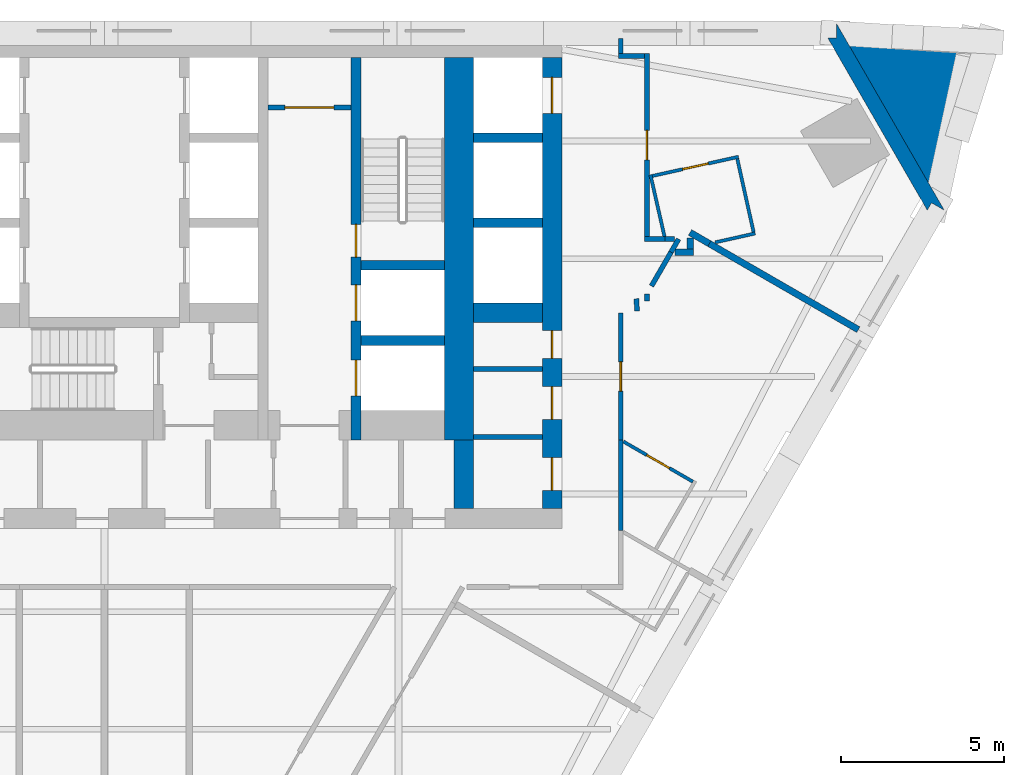
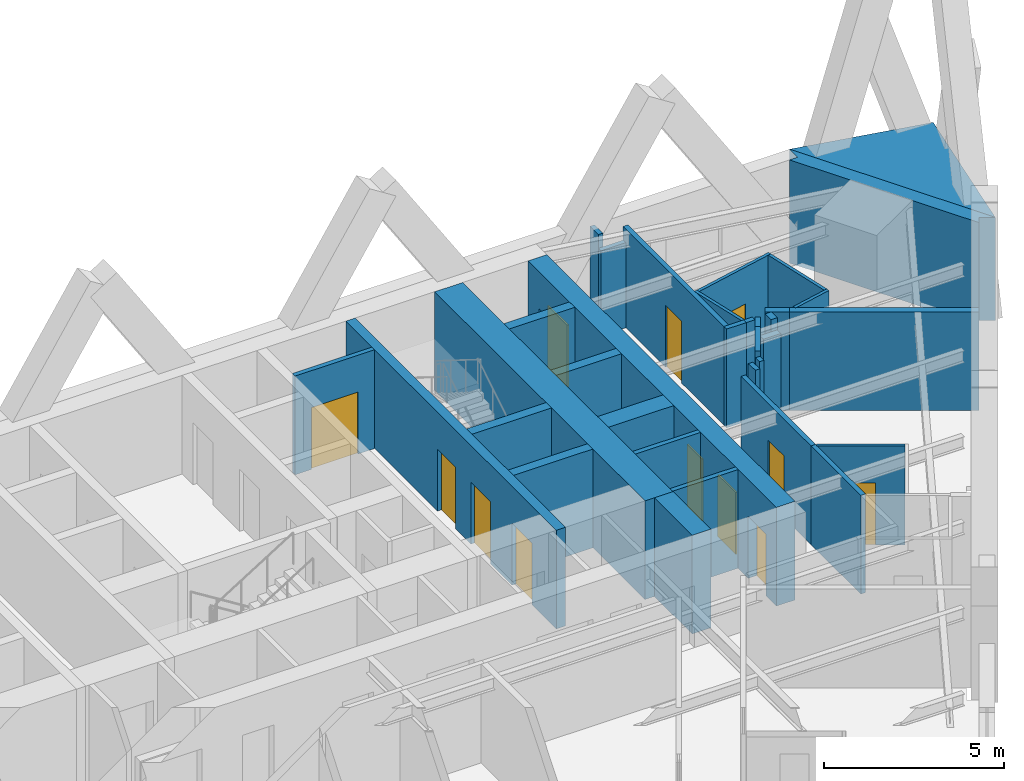
# One storey, part 8 of 11: 34 walls, 12 doors, 12 openings.
"""IFC4 building model written with IfcOpenShell, lengths in metres."""

from ifc_helpers import new_model, si_unit, direction, frame, frame_2d, origin, place, context, subcontext, project, spatial, polyline, rectangle, outline, extrude, material, layer, layer_set, type_object, element, fill, save


model = new_model("IFC4")

# Units and contexts
model_context = context("Model", 3, precision=1e-05, world=origin(), true_north=direction((0.0, 1.0)))
body_context = subcontext(model_context, "Body", "Model", "MODEL_VIEW")
ifc_project = project(units=[si_unit("LENGTHUNIT", "METRE"), si_unit("AREAUNIT", "SQUARE_METRE"), si_unit("VOLUMEUNIT", "CUBIC_METRE"), si_unit("PLANEANGLEUNIT", "RADIAN"), si_unit("MASSUNIT", "GRAM", prefix="KILO")], contexts=[model_context])

# Site, building, storey
site_placement = place(None, origin())
site = spatial("IfcSite", under=ifc_project, at=site_placement, CompositionType="ELEMENT")
building_placement = place(site_placement, origin())
building = spatial("IfcBuilding", under=site, at=building_placement, Name="Aloe Facet Convention Tower", CompositionType="ELEMENT")
storey_placement = place(building_placement, frame((0.0, 0.0, 63.0)))
storey = spatial("IfcBuildingStorey", under=building, at=storey_placement, Name="L14", CompositionType="ELEMENT", Elevation=63.0)

# Wall, opening, door
ifc_material_1 = material(Name="Concrete blockwork partition", Category="masonry")
ifc_layer_1 = layer(ifc_material_1, 0.14990234375)
ifc_layer_set_1 = layer_set([ifc_layer_1], Name="CR-W-PART150")
wall_type_1 = type_object("IfcWallType", Name="CR-W-PART150", PredefinedType="PARTITIONING", material=ifc_layer_set_1)
wall_1_placement = place(storey_placement, frame((85.0, 132.425048828125, 0.0), z_axis=(0.0, 0.0, 1.0), x_axis=(1.0, 0.0, 0.0)))
wall_1 = element("IfcWall", 1, at=wall_1_placement, inside=storey, type_object=wall_type_1, Name="Core partition L14-038", PredefinedType="PARTITIONING", context=body_context, shape_type="SweptSolid", body=[
    extrude(rectangle(XDim=2.550048828125, YDim=0.14990234375, at=frame_2d((1.27490234375, 0.0))), origin(), (0.0, 0.0, 1.0), 3.35009765625),
])
opening_1_placement = place(wall_1_placement, frame((0.52490234375, 0.0, 0.0)))
opening_1 = element("IfcOpeningElement", 2, at=opening_1_placement, cuts=wall_1, Name="Opening L14-CD21", PredefinedType="OPENING", context=body_context, shape_type="SweptSolid", body=[
    extrude(rectangle(XDim=1.5, YDim=2.10009765625, at=frame_2d((0.75, 1.050048828125))), frame((0.0, 0.0849609375, 0.0), z_axis=(0.0, -1.0, 0.0), x_axis=(1.0, 0.0, 0.0)), (0.0, 0.0, 1.0), 0.169921875),
])
ifc_material_2 = material(Name="Steel fire-resisting door set FD60", Category="steel")
door_type_1 = type_object("IfcDoorType", Name="CR-D-REFUGE-1500-FD60-DD", OperationType="DOUBLE_DOOR_DOUBLE_SWING", PredefinedType="DOOR", material=ifc_material_2)
door_1_placement = place(opening_1_placement, origin())
door_1 = element("IfcDoor", 3, at=door_1_placement, inside=storey, type_object=door_type_1, Name="Core door L14-CD21", OperationType="DOUBLE_DOOR_DOUBLE_SWING", OverallHeight=2.10009765625, OverallWidth=1.5, PredefinedType="DOOR", context=body_context, shape_type="SweptSolid", body=[
    extrude(rectangle(XDim=1.5, YDim=2.10009765625, at=frame_2d((0.75, 1.050048828125))), frame((0.0, 0.02490234375, 0.0), z_axis=(0.0, -1.0, 0.0), x_axis=(1.0, 0.0, 0.0)), (0.0, 0.0, 1.0), 0.050048828125),
])
fill(opening_1, door_1)

# Walls
for number, where, z_axis, x_axis, name in (
    (4, (91.300048828125, 124.425048828125, 0.0), (0.0, 0.0, 1.0), (1.0, 0.0, 0.0), "Core partition L14-052"),
    (5, (91.300048828125, 122.346435546875, 0.0), (0.0, 0.0, 1.0), (1.0, 0.0, 0.0), "Core partition L14-053"),
):
    element("IfcWall", number, at=place(storey_placement, frame(where, z_axis=z_axis, x_axis=x_axis)), inside=storey, type_object=wall_type_1, Name=name, PredefinedType="PARTITIONING", context=body_context, shape_type="SweptSolid", body=[
        extrude(rectangle(XDim=2.099853515625, YDim=0.14990234375, at=frame_2d((1.0498046875, 0.0))), origin(), (0.0, 0.0, 1.0), 3.35009765625),
    ])

# Wall, openings, doors
ifc_material_3 = material(Name="Concrete C80/95", Category="concrete")
ifc_layer_2 = layer(ifc_material_3, 0.300048828125)
ifc_layer_set_2 = layer_set([ifc_layer_2], Name="CR-W-RC300-C8095")
wall_type_2 = type_object("IfcWallType", Name="CR-W-RC300-C8095", PredefinedType="SOLIDWALL", material=ifc_layer_set_2)
wall_2_placement = place(storey_placement, frame((87.699951171875, 133.949951171875, 0.0), z_axis=(0.0, 0.0, 1.0), x_axis=(0.0, -1.0, 0.0)))
wall_2 = element("IfcWall", 6, at=wall_2_placement, inside=storey, type_object=wall_type_2, Name="Core wall L14-042", PredefinedType="SOLIDWALL", context=body_context, shape_type="SweptSolid", body=[
    extrude(rectangle(XDim=11.699951171875, YDim=0.300048828125, at=frame_2d((5.85009765625, 0.0))), origin(), (0.0, 0.0, 1.0), 3.35009765625),
])
opening_2_placement = place(wall_2_placement, frame((6.949951171875, 0.0, 0.0)))
opening_2 = element("IfcOpeningElement", 7, at=opening_2_placement, cuts=wall_2, Name="Opening LD-FF2-L14", PredefinedType="OPENING", context=body_context, shape_type="SweptSolid", body=[
    extrude(rectangle(XDim=1.10009765625, YDim=2.10009765625, at=frame_2d((0.550048828125, 1.050048828125))), frame((0.0, 0.16015625, 0.0), z_axis=(0.0, -1.0, 0.0), x_axis=(1.0, 0.0, 0.0)), (0.0, 0.0, 1.0), 0.320068359375),
])
opening_3_placement = place(wall_2_placement, frame((5.10009765625, 0.0, 0.0)))
opening_3 = element("IfcOpeningElement", 8, at=opening_3_placement, cuts=wall_2, Name="Opening L14-CD31", PredefinedType="OPENING", context=body_context, shape_type="SweptSolid", body=[
    extrude(rectangle(XDim=1.0, YDim=2.10009765625, at=frame_2d((0.5, 1.050048828125))), frame((0.0, 0.16015625, 0.0), z_axis=(0.0, -1.0, 0.0), x_axis=(1.0, 0.0, 0.0)), (0.0, 0.0, 1.0), 0.320068359375),
])
opening_4_placement = place(wall_2_placement, frame((9.25, 0.0, 0.0)))
opening_4 = element("IfcOpeningElement", 9, at=opening_4_placement, cuts=wall_2, Name="Opening LD-SV1-L14", PredefinedType="OPENING", context=body_context, shape_type="SweptSolid", body=[
    extrude(rectangle(XDim=1.10009765625, YDim=2.10009765625, at=frame_2d((0.550048828125, 1.050048828125))), frame((0.0, 0.16015625, 0.0), z_axis=(0.0, -1.0, 0.0), x_axis=(1.0, 0.0, 0.0)), (0.0, 0.0, 1.0), 0.320068359375),
])
ifc_material_4 = material(Name="Steel fire-resisting door set FD120", Category="steel")
door_type_2 = type_object("IfcDoorType", Name="CR-D-STAIR-1000-FD120-SLEFT", OperationType="SINGLE_SWING_LEFT", PredefinedType="DOOR", material=ifc_material_4)
door_2_placement = place(opening_3_placement, origin())
door_2 = element("IfcDoor", 10, at=door_2_placement, inside=storey, type_object=door_type_2, Name="Core door L14-CD31", OperationType="SINGLE_SWING_LEFT", OverallHeight=2.10009765625, OverallWidth=1.0, PredefinedType="DOOR", context=body_context, shape_type="SweptSolid", body=[
    extrude(rectangle(XDim=1.0, YDim=2.10009765625, at=frame_2d((0.5, 1.050048828125))), frame((0.0, 0.02490234375, 0.0), z_axis=(0.0, -1.0, 0.0), x_axis=(1.0, 0.0, 0.0)), (0.0, 0.0, 1.0), 0.050048828125),
])
fill(opening_3, door_2)
ifc_material_5 = material(Name="Stainless steel sliding landing door", Category="steel")
door_type_3 = type_object("IfcDoorType", Name="CR-LD-1100-FD120-_LEFT", OperationType="SLIDING_TO_LEFT", PredefinedType="DOOR", material=ifc_material_5)
door_3_placement = place(opening_2_placement, origin())
door_3 = element("IfcDoor", 11, at=door_3_placement, inside=storey, type_object=door_type_3, Name="Landing door FF2 L14", OperationType="SLIDING_TO_LEFT", OverallHeight=2.10009765625, OverallWidth=1.10009765625, PredefinedType="DOOR", context=body_context, shape_type="SweptSolid", body=[
    extrude(rectangle(XDim=1.10009765625, YDim=2.10009765625, at=frame_2d((0.550048828125, 1.050048828125))), frame((0.0, 0.02490234375, 0.0), z_axis=(0.0, -1.0, 0.0), x_axis=(1.0, 0.0, 0.0)), (0.0, 0.0, 1.0), 0.050048828125),
])
fill(opening_2, door_3)
door_4_placement = place(opening_4_placement, origin())
door_4 = element("IfcDoor", 12, at=door_4_placement, inside=storey, type_object=door_type_3, Name="Landing door SV1 L14", OperationType="SLIDING_TO_LEFT", OverallHeight=2.10009765625, OverallWidth=1.10009765625, PredefinedType="DOOR", context=body_context, shape_type="SweptSolid", body=[
    extrude(rectangle(XDim=1.10009765625, YDim=2.10009765625, at=frame_2d((0.550048828125, 1.050048828125))), frame((0.0, 0.02490234375, 0.0), z_axis=(0.0, -1.0, 0.0), x_axis=(1.0, 0.0, 0.0)), (0.0, 0.0, 1.0), 0.050048828125),
])
fill(opening_4, door_4)

# Walls
for number, where, z_axis, x_axis, name in (
    (13, (87.85009765625, 127.60009765625, 0.0), (0.0, 0.0, 1.0), (1.0, 0.0, 0.0), "Core wall L14-043"),
    (14, (87.85009765625, 125.300048828125, 0.0), (0.0, 0.0, 1.0), (1.0, 0.0, 0.0), "Core wall L14-044"),
):
    element("IfcWall", number, at=place(storey_placement, frame(where, z_axis=z_axis, x_axis=x_axis)), inside=storey, type_object=wall_type_2, Name=name, PredefinedType="SOLIDWALL", context=body_context, shape_type="SweptSolid", body=[
        extrude(rectangle(XDim=2.5498046875, YDim=0.300048828125, at=frame_2d((1.27490234375, 0.0))), origin(), (0.0, 0.0, 1.0), 3.35009765625),
    ])
for number, where, z_axis, x_axis, name in (
    (15, (91.300048828125, 131.5, 0.0), (0.0, 0.0, 1.0), (1.0, 0.0, 0.0), "Core wall L14-049"),
    (16, (91.300048828125, 128.89990234375, 0.0), (0.0, 0.0, 1.0), (1.0, 0.0, 0.0), "Core wall L14-050"),
):
    element("IfcWall", number, at=place(storey_placement, frame(where, z_axis=z_axis, x_axis=x_axis)), inside=storey, type_object=wall_type_2, Name=name, PredefinedType="SOLIDWALL", context=body_context, shape_type="SweptSolid", body=[
        extrude(rectangle(XDim=2.099853515625, YDim=0.300048828125, at=frame_2d((1.0498046875, 0.0))), origin(), (0.0, 0.0, 1.0), 3.35009765625),
    ])
ifc_material_6 = material(Name="Concrete C80/95", Category="concrete")
ifc_layer_3 = layer(ifc_material_6, 0.60009765625)
ifc_layer_set_3 = layer_set([ifc_layer_3], Name="CR-W-RC600-C8095")
wall_type_3 = type_object("IfcWallType", Name="CR-W-RC600-C8095", PredefinedType="SOLIDWALL", material=ifc_layer_set_3)
wall_3_placement = place(storey_placement, frame((91.0, 122.25, 0.0), z_axis=(0.0, 0.0, 1.0), x_axis=(0.0, -1.0, 0.0)))
element("IfcWall", 17, at=wall_3_placement, inside=storey, type_object=wall_type_3, Name="Core wall L14-048", PredefinedType="SOLIDWALL", context=body_context, shape_type="SweptSolid", body=[
    extrude(rectangle(XDim=2.10009765625, YDim=0.60009765625, at=frame_2d((1.050048828125, 0.0))), origin(), (0.0, 0.0, 1.0), 3.35009765625),
])
wall_4_placement = place(storey_placement, frame((91.300048828125, 126.14990234375, 0.0), z_axis=(0.0, 0.0, 1.0), x_axis=(1.0, 0.0, 0.0)))
element("IfcWall", 18, at=wall_4_placement, inside=storey, type_object=wall_type_3, Name="Core wall L14-051", PredefinedType="SOLIDWALL", context=body_context, shape_type="SweptSolid", body=[
    extrude(rectangle(XDim=2.099853515625, YDim=0.60009765625, at=frame_2d((1.0498046875, 0.0))), origin(), (0.0, 0.0, 1.0), 3.35009765625),
])

# Wall, openings, doors
wall_5_placement = place(storey_placement, frame((93.699951171875, 133.949951171875, 0.0), z_axis=(0.0, 0.0, 1.0), x_axis=(0.0, -1.0, 0.0)))
wall_5 = element("IfcWall", 19, at=wall_5_placement, inside=storey, type_object=wall_type_3, Name="Core wall L14-054", PredefinedType="SOLIDWALL", context=body_context, shape_type="SweptSolid", body=[
    extrude(rectangle(XDim=13.800048828125, YDim=0.60009765625, at=frame_2d((6.89990234375, 0.0))), origin(), (0.0, 0.0, 1.0), 3.35009765625),
])
opening_5_placement = place(wall_5_placement, frame((0.60009765625, 0.0, 0.0)))
opening_5 = element("IfcOpeningElement", 20, at=opening_5_placement, cuts=wall_5, Name="Opening LD-A8-L14", PredefinedType="OPENING", context=body_context, shape_type="SweptSolid", body=[
    extrude(rectangle(XDim=1.10009765625, YDim=2.10009765625, at=frame_2d((0.550048828125, 1.050048828125))), frame((0.0, 0.31005859375, 0.0), z_axis=(0.0, -1.0, 0.0), x_axis=(1.0, 0.0, 0.0)), (0.0, 0.0, 1.0), 0.6201171875),
])
opening_6_placement = place(wall_5_placement, frame((10.064208984375, 0.0, 0.0)))
opening_6 = element("IfcOpeningElement", 21, at=opening_6_placement, cuts=wall_5, Name="Opening L14-CD09", PredefinedType="OPENING", context=body_context, shape_type="SweptSolid", body=[
    extrude(rectangle(XDim=1.0, YDim=2.10009765625, at=frame_2d((0.5, 1.050048828125))), frame((0.0, 0.31005859375, 0.0), z_axis=(0.0, -1.0, 0.0), x_axis=(1.0, 0.0, 0.0)), (0.0, 0.0, 1.0), 0.6201171875),
])
opening_7_placement = place(wall_5_placement, frame((8.35009765625, 0.0, 0.0)))
opening_7 = element("IfcOpeningElement", 22, at=opening_7_placement, cuts=wall_5, Name="Opening L14-CD10", PredefinedType="OPENING", context=body_context, shape_type="SweptSolid", body=[
    extrude(rectangle(XDim=0.85009765625, YDim=2.10009765625, at=frame_2d((0.425048828125, 1.050048828125))), frame((0.0, 0.31005859375, 0.0), z_axis=(0.0, -1.0, 0.0), x_axis=(1.0, 0.0, 0.0)), (0.0, 0.0, 1.0), 0.6201171875),
])
opening_8_placement = place(wall_5_placement, frame((12.2392578125, 0.0, 0.0)))
opening_8 = element("IfcOpeningElement", 23, at=opening_8_placement, cuts=wall_5, Name="Opening L14-CD11", PredefinedType="OPENING", context=body_context, shape_type="SweptSolid", body=[
    extrude(rectangle(XDim=1.0, YDim=2.10009765625, at=frame_2d((0.5, 1.050048828125))), frame((0.0, 0.31005859375, 0.0), z_axis=(0.0, -1.0, 0.0), x_axis=(1.0, 0.0, 0.0)), (0.0, 0.0, 1.0), 0.6201171875),
])
ifc_material_7 = material(Name="Steel fire-resisting door set FD60", Category="steel")
door_type_4 = type_object("IfcDoorType", Name="CR-D-ROOM-1000-FD60-SLEFT", OperationType="SINGLE_SWING_LEFT", PredefinedType="DOOR", material=ifc_material_7)
door_5_placement = place(opening_6_placement, origin())
door_5 = element("IfcDoor", 24, at=door_5_placement, inside=storey, type_object=door_type_4, Name="Core door L14-CD09", OperationType="SINGLE_SWING_LEFT", OverallHeight=2.10009765625, OverallWidth=1.0, PredefinedType="DOOR", context=body_context, shape_type="SweptSolid", body=[
    extrude(rectangle(XDim=1.0, YDim=2.10009765625, at=frame_2d((0.5, 1.050048828125))), frame((0.0, 0.02490234375, 0.0), z_axis=(0.0, -1.0, 0.0), x_axis=(1.0, 0.0, 0.0)), (0.0, 0.0, 1.0), 0.050048828125),
])
fill(opening_6, door_5)
door_6_placement = place(opening_8_placement, origin())
door_6 = element("IfcDoor", 25, at=door_6_placement, inside=storey, type_object=door_type_4, Name="Core door L14-CD11", OperationType="SINGLE_SWING_LEFT", OverallHeight=2.10009765625, OverallWidth=1.0, PredefinedType="DOOR", context=body_context, shape_type="SweptSolid", body=[
    extrude(rectangle(XDim=1.0, YDim=2.10009765625, at=frame_2d((0.5, 1.050048828125))), frame((0.0, 0.02490234375, 0.0), z_axis=(0.0, -1.0, 0.0), x_axis=(1.0, 0.0, 0.0)), (0.0, 0.0, 1.0), 0.050048828125),
])
fill(opening_8, door_6)
ifc_material_8 = material(Name="Steel fire-resisting door set FD60", Category="steel")
door_type_5 = type_object("IfcDoorType", Name="CR-D-ROOM-850-FD60-SLEFT", OperationType="SINGLE_SWING_LEFT", PredefinedType="DOOR", material=ifc_material_8)
door_7_placement = place(opening_7_placement, origin())
door_7 = element("IfcDoor", 26, at=door_7_placement, inside=storey, type_object=door_type_5, Name="Core door L14-CD10", OperationType="SINGLE_SWING_LEFT", OverallHeight=2.10009765625, OverallWidth=0.85009765625, PredefinedType="DOOR", context=body_context, shape_type="SweptSolid", body=[
    extrude(rectangle(XDim=0.85009765625, YDim=2.10009765625, at=frame_2d((0.425048828125, 1.050048828125))), frame((0.0, 0.02490234375, 0.0), z_axis=(0.0, -1.0, 0.0), x_axis=(1.0, 0.0, 0.0)), (0.0, 0.0, 1.0), 0.050048828125),
])
fill(opening_7, door_7)
ifc_material_9 = material(Name="Stainless steel sliding landing door", Category="steel")
door_type_6 = type_object("IfcDoorType", Name="CR-LD-1100-FD60-_LEFT", OperationType="SLIDING_TO_LEFT", PredefinedType="DOOR", material=ifc_material_9)
door_8_placement = place(opening_5_placement, origin())
door_8 = element("IfcDoor", 27, at=door_8_placement, inside=storey, type_object=door_type_6, Name="Landing door A8 L14", OperationType="SLIDING_TO_LEFT", OverallHeight=2.10009765625, OverallWidth=1.10009765625, PredefinedType="DOOR", context=body_context, shape_type="SweptSolid", body=[
    extrude(rectangle(XDim=1.10009765625, YDim=2.10009765625, at=frame_2d((0.550048828125, 1.050048828125))), frame((0.0, 0.02490234375, 0.0), z_axis=(0.0, -1.0, 0.0), x_axis=(1.0, 0.0, 0.0)), (0.0, 0.0, 1.0), 0.050048828125),
])
fill(opening_5, door_8)

# Walls
ifc_material_10 = material(Name="Concrete C80/95", Category="concrete")
ifc_layer_4 = layer(ifc_material_10, 0.89990234375)
ifc_layer_set_4 = layer_set([ifc_layer_4], Name="CR-W-RC900-C8095")
wall_type_4 = type_object("IfcWallType", Name="CR-W-RC900-C8095", PredefinedType="SOLIDWALL", material=ifc_layer_set_4)
wall_6_placement = place(storey_placement, frame((90.85009765625, 133.949951171875, 0.0), z_axis=(0.0, 0.0, 1.0), x_axis=(0.0, -1.0, 0.0)))
element("IfcWall", 28, at=wall_6_placement, inside=storey, type_object=wall_type_4, Name="Core wall L14-047", PredefinedType="SOLIDWALL", context=body_context, shape_type="SweptSolid", body=[
    extrude(rectangle(XDim=11.699951171875, YDim=0.89990234375, at=frame_2d((5.85009765625, 0.0))), origin(), (0.0, 0.0, 1.0), 3.35009765625),
])
ifc_material_11 = material(Name="Precast concrete C40/50", Category="concrete")
ifc_layer_5 = layer(ifc_material_11, 0.449951171875)
ifc_layer_set_5 = layer_set([ifc_layer_5], Name="EV-WALL-PIER")
wall_type_5 = type_object("IfcWallType", Name="EV-WALL-PIER", PredefinedType="SOLIDWALL", material=ifc_layer_set_5)
wall_7_placement = place(storey_placement, frame((0.0, 0.0, -0.14990234375)))
element("IfcWall", 29, at=wall_7_placement, inside=storey, type_object=wall_type_5, Name="EP-L14-C", PredefinedType="SOLIDWALL", context=body_context, shape_type="SweptSolid", body=[
    extrude(outline(polyline([(105.699951171875, 129.2841796875), (105.310302734375, 129.50927734375), (105.180419921875, 129.2841796875), (102.14013671875, 134.550048828125), (102.39990234375, 134.550048828125), (102.39990234375, 135.0), (105.699951171875, 129.2841796875)])), origin(), (0.0, 0.0, 1.0), 3.5),
])
ifc_material_12 = material(Name="Precast concrete C40/50", Category="concrete")
ifc_layer_6 = layer(ifc_material_12, 3.947998046875)
ifc_layer_set_6 = layer_set([ifc_layer_6], Name="EV-WALL-SPINE")
wall_type_6 = type_object("IfcWallType", Name="EV-WALL-SPINE", PredefinedType="SOLIDWALL", material=ifc_layer_set_6)
wall_8_placement = place(storey_placement, frame((0.0, 0.0, -0.14990234375)))
element("IfcWall", 30, at=wall_8_placement, inside=storey, type_object=wall_type_6, Name="SP-NE-L14", PredefinedType="SOLIDWALL", context=body_context, shape_type="SweptSolid", body=[
    extrude(outline(polyline([(105.699951171875, 129.2841796875), (106.50732421875, 134.130859375), (102.39990234375, 135.0), (105.699951171875, 129.2841796875)])), origin(), (0.0, 0.0, 1.0), 3.5),
])
ifc_material_13 = material(Name="Gypsum board partition on steel studs", Category="steel")
ifc_layer_7 = layer(ifc_material_13, 0.14990234375)
ifc_layer_set_7 = layer_set([ifc_layer_7], Name="IN-W-CORR")
wall_type_7 = type_object("IfcWallType", Name="IN-W-CORR", PredefinedType="PARTITIONING", material=ifc_layer_set_7)
wall_9_placement = place(storey_placement, frame((95.800048828125, 119.480712890625, 0.0), z_axis=(0.0, 0.0, 1.0), x_axis=(0.0, 1.0, 0.0)))
element("IfcWall", 31, at=wall_9_placement, inside=storey, type_object=wall_type_7, Name="Partition L14-W080", PredefinedType="PARTITIONING", context=body_context, shape_type="SweptSolid", body=[
    extrude(rectangle(XDim=2.771484375, YDim=0.14990234375, at=frame_2d((1.3857421875, 0.0))), origin(), (0.0, 0.0, 1.0), 3.35009765625),
])

# Wall, opening, door
wall_10_placement = place(storey_placement, frame((95.800048828125, 122.252197265625, 0.0), z_axis=(0.0, 0.0, 1.0), x_axis=(0.0, 1.0, 0.0)))
wall_10 = element("IfcWall", 32, at=wall_10_placement, inside=storey, type_object=wall_type_7, Name="Partition L14-W092", PredefinedType="PARTITIONING", context=body_context, shape_type="SweptSolid", body=[
    extrude(rectangle(XDim=3.884765625, YDim=0.14990234375, at=frame_2d((1.9423828125, 0.0))), origin(), (0.0, 0.0, 1.0), 3.35009765625),
])
opening_9_placement = place(wall_10_placement, frame((1.492431640625, 0.0, 0.0)))
opening_9 = element("IfcOpeningElement", 33, at=opening_9_placement, cuts=wall_10, Name="Opening L14-013", PredefinedType="OPENING", context=body_context, shape_type="SweptSolid", body=[
    extrude(rectangle(XDim=0.89990234375, YDim=2.10009765625, at=frame_2d((0.449951171875, 1.050048828125))), frame((0.0, 0.0849609375, 0.0), z_axis=(0.0, -1.0, 0.0), x_axis=(1.0, 0.0, 0.0)), (0.0, 0.0, 1.0), 0.169921875),
])
ifc_material_14 = material(Name="Hardwood flush door FD30S", Category="wood")
door_type_7 = type_object("IfcDoorType", Name="IN-D-GUEST", OperationType="SINGLE_SWING_LEFT", PredefinedType="DOOR", material=ifc_material_14)
door_9_placement = place(opening_9_placement, origin())
door_9 = element("IfcDoor", 34, at=door_9_placement, inside=storey, type_object=door_type_7, Name="Door L14-013", OperationType="SINGLE_SWING_LEFT", OverallHeight=2.10009765625, OverallWidth=0.89990234375, PredefinedType="DOOR", context=body_context, shape_type="SweptSolid", body=[
    extrude(rectangle(XDim=0.89990234375, YDim=2.10009765625, at=frame_2d((0.449951171875, 1.050048828125))), frame((0.0, 0.02490234375, 0.0), z_axis=(0.0, -1.0, 0.0), x_axis=(1.0, 0.0, 0.0)), (0.0, 0.0, 1.0), 0.050048828125),
])
fill(opening_9, door_9)

# Walls
wall_11_placement = place(storey_placement, frame((96.279541015625, 126.574951171875, 0.0), z_axis=(0.0, 0.0, 1.0), x_axis=(0.049354603538, -0.998781318963, 0.0)))
element("IfcWall", 35, at=wall_11_placement, inside=storey, type_object=wall_type_7, Name="Partition L14-W094", PredefinedType="PARTITIONING", context=body_context, shape_type="SweptSolid", body=[
    extrude(rectangle(XDim=0.3759765625, YDim=0.14990234375, at=frame_2d((0.18798828125, 0.0))), origin(), (0.0, 0.0, 1.0), 3.35009765625),
])
wall_12_placement = place(storey_placement, frame((96.60009765625, 126.5, 0.0), z_axis=(0.0, 0.0, 1.0), x_axis=(0.0, 1.0, 0.0)))
element("IfcWall", 36, at=wall_12_placement, inside=storey, type_object=wall_type_7, Name="Partition L14-W106", PredefinedType="PARTITIONING", context=body_context, shape_type="SweptSolid", body=[
    extrude(rectangle(XDim=0.22265625, YDim=0.14990234375, at=frame_2d((0.111328125, 0.0))), origin(), (0.0, 0.0, 1.0), 3.35009765625),
])
wall_13_placement = place(storey_placement, frame((97.338623046875, 128.0, 0.0), z_axis=(0.0, 0.0, 1.0), x_axis=(0.500391795928, 0.865799082101, 0.0)))
element("IfcWall", 37, at=wall_13_placement, inside=storey, type_object=wall_type_7, Name="Partition L14-W110", PredefinedType="PARTITIONING", context=body_context, shape_type="SweptSolid", body=[
    extrude(rectangle(XDim=0.463134765625, YDim=0.14990234375, at=frame_2d((0.2314453125, 0.0))), origin(), (0.0, 0.0, 1.0), 3.35009765625),
])
wall_14_placement = place(storey_placement, frame((96.739990234375, 126.964599609375, 0.0), z_axis=(0.0, 0.0, 1.0), x_axis=(0.500529245116, 0.865719628277, 0.0)))
element("IfcWall", 38, at=wall_14_placement, inside=storey, type_object=wall_type_7, Name="Partition L14-W112", PredefinedType="PARTITIONING", context=body_context, shape_type="SweptSolid", body=[
    extrude(rectangle(XDim=1.196044921875, YDim=0.14990234375, at=frame_2d((0.59814453125, 0.0))), origin(), (0.0, 0.0, 1.0), 3.35009765625),
])
wall_15_placement = place(storey_placement, frame((96.52490234375, 128.39990234375, 0.0), z_axis=(0.0, 0.0, 1.0), x_axis=(1.0, 0.0, 0.0)))
element("IfcWall", 39, at=wall_15_placement, inside=storey, type_object=wall_type_7, Name="Partition L14-W119", PredefinedType="PARTITIONING", context=body_context, shape_type="SweptSolid", body=[
    extrude(rectangle(XDim=0.632568359375, YDim=0.14990234375, at=frame_2d((0.31640625, 0.0))), origin(), (0.0, 0.0, 1.0), 3.35009765625),
])
wall_16_placement = place(storey_placement, frame((97.157470703125, 128.39990234375, 0.0), z_axis=(0.0, 0.0, 1.0), x_axis=(0.999996638419, 0.002592903989, 0.0)))
element("IfcWall", 40, at=wall_16_placement, inside=storey, type_object=wall_type_7, Name="Partition L14-W123", PredefinedType="PARTITIONING", context=body_context, shape_type="SweptSolid", body=[
    extrude(rectangle(XDim=0.282470703125, YDim=0.14990234375, at=frame_2d((0.14111328125, 0.0))), origin(), (0.0, 0.0, 1.0), 3.35009765625),
])

# Wall, opening, door
wall_17_placement = place(storey_placement, frame((96.60009765625, 128.47509765625, 0.0), z_axis=(0.0, 0.0, 1.0), x_axis=(0.0, 1.0, 0.0)))
wall_17 = element("IfcWall", 41, at=wall_17_placement, inside=storey, type_object=wall_type_7, Name="Partition L14-W132", PredefinedType="PARTITIONING", context=body_context, shape_type="SweptSolid", body=[
    extrude(rectangle(XDim=5.599365234375, YDim=0.14990234375, at=frame_2d((2.7998046875, 0.0))), origin(), (0.0, 0.0, 1.0), 3.35009765625),
])
opening_10_placement = place(wall_17_placement, frame((2.349853515625, 0.0, 0.0)))
opening_10 = element("IfcOpeningElement", 42, at=opening_10_placement, cuts=wall_17, Name="Opening L14-001", PredefinedType="OPENING", context=body_context, shape_type="SweptSolid", body=[
    extrude(rectangle(XDim=0.89990234375, YDim=2.10009765625, at=frame_2d((0.449951171875, 1.050048828125))), frame((0.0, 0.0849609375, 0.0), z_axis=(0.0, -1.0, 0.0), x_axis=(1.0, 0.0, 0.0)), (0.0, 0.0, 1.0), 0.169921875),
])
door_10_placement = place(opening_10_placement, origin())
door_10 = element("IfcDoor", 43, at=door_10_placement, inside=storey, type_object=door_type_7, Name="Door L14-001", OperationType="SINGLE_SWING_LEFT", OverallHeight=2.10009765625, OverallWidth=0.89990234375, PredefinedType="DOOR", context=body_context, shape_type="SweptSolid", body=[
    extrude(rectangle(XDim=0.89990234375, YDim=2.10009765625, at=frame_2d((0.449951171875, 1.050048828125))), frame((0.0, 0.02490234375, 0.0), z_axis=(0.0, -1.0, 0.0), x_axis=(1.0, 0.0, 0.0)), (0.0, 0.0, 1.0), 0.050048828125),
])
fill(opening_10, door_10)

# Walls
wall_18_placement = place(storey_placement, frame((95.72509765625, 134.0, 0.0), z_axis=(0.0, 0.0, 1.0), x_axis=(0.999999813645, -0.000610500497, 0.0)))
element("IfcWall", 44, at=wall_18_placement, inside=storey, type_object=wall_type_7, Name="Partition L14-W135", PredefinedType="PARTITIONING", context=body_context, shape_type="SweptSolid", body=[
    extrude(rectangle(XDim=0.7998046875, YDim=0.14990234375, at=frame_2d((0.39990234375, 0.0))), origin(), (0.0, 0.0, 1.0), 2.88671875),
])
wall_19_placement = place(storey_placement, frame((95.800048828125, 134.074951171875, 0.0), z_axis=(0.0, 0.0, 1.0), x_axis=(0.0, 1.0, 0.0)))
element("IfcWall", 45, at=wall_19_placement, inside=storey, type_object=wall_type_7, Name="Partition L14-W136", PredefinedType="PARTITIONING", context=body_context, shape_type="SweptSolid", body=[
    extrude(rectangle(XDim=0.465087890625, YDim=0.14990234375, at=frame_2d((0.232421875, 0.0))), origin(), (0.0, 0.0, 1.0), 3.35009765625),
])

# Wall, opening, door
ifc_material_15 = material(Name="Gypsum board partition on steel studs", Category="steel")
ifc_layer_8 = layer(ifc_material_15, 0.10009765625)
ifc_layer_set_8 = layer_set([ifc_layer_8], Name="IN-W-PART")
wall_type_8 = type_object("IfcWallType", Name="IN-W-PART", PredefinedType="PARTITIONING", material=ifc_layer_set_8)
wall_20_placement = place(storey_placement, frame((95.88232421875, 122.20458984375, 0.0), z_axis=(0.0, 0.0, 1.0), x_axis=(0.866006720078, -0.500032359733, 0.0)))
wall_20 = element("IfcWall", 46, at=wall_20_placement, inside=storey, type_object=wall_type_8, Name="Partition L14-W085", PredefinedType="PARTITIONING", context=body_context, shape_type="SweptSolid", body=[
    extrude(rectangle(XDim=2.454833984375, YDim=0.10009765625, at=frame_2d((1.2275390625, 0.0))), origin(), (0.0, 0.0, 1.0), 3.35009765625),
])
opening_11_placement = place(wall_20_placement, frame((0.827392578125, 0.0, 0.0)))
opening_11 = element("IfcOpeningElement", 47, at=opening_11_placement, cuts=wall_20, Name="Opening L14-030", PredefinedType="OPENING", context=body_context, shape_type="SweptSolid", body=[
    extrude(rectangle(XDim=0.800048828125, YDim=2.10009765625, at=frame_2d((0.39990234375, 1.050048828125))), frame((0.0, 0.06005859375, 0.0), z_axis=(0.0, -1.0, 0.0), x_axis=(1.0, 0.0, 0.0)), (0.0, 0.0, 1.0), 0.1201171875),
])
ifc_material_16 = material(Name="Timber flush door", Category="wood")
door_type_8 = type_object("IfcDoorType", Name="IN-D-BATH", OperationType="SINGLE_SWING_LEFT", PredefinedType="DOOR", material=ifc_material_16)
door_11_placement = place(opening_11_placement, origin())
door_11 = element("IfcDoor", 48, at=door_11_placement, inside=storey, type_object=door_type_8, Name="Door L14-030", OperationType="SINGLE_SWING_LEFT", OverallHeight=2.10009765625, OverallWidth=0.800048828125, PredefinedType="DOOR", context=body_context, shape_type="SweptSolid", body=[
    extrude(rectangle(XDim=0.800048828125, YDim=2.10009765625, at=frame_2d((0.39990234375, 1.050048828125))), frame((0.0, 0.02490234375, 0.0), z_axis=(0.0, -1.0, 0.0), x_axis=(1.0, 0.0, 0.0)), (0.0, 0.0, 1.0), 0.050048828125),
])
fill(opening_11, door_11)

# Walls
wall_21_placement = place(storey_placement, frame((96.7080078125, 130.36962890625, 0.0), z_axis=(0.0, 0.0, 1.0), x_axis=(0.222402197424, -0.974955005413, 0.0)))
element("IfcWall", 49, at=wall_21_placement, inside=storey, type_object=wall_type_8, Name="Partition L14-W122", PredefinedType="PARTITIONING", context=body_context, shape_type="SweptSolid", body=[
    extrude(rectangle(XDim=1.9453125, YDim=0.10009765625, at=frame_2d((0.97265625, 0.0))), origin(), (0.0, 0.0, 1.0), 3.35009765625),
])
wall_22_placement = place(storey_placement, frame((98.687255859375, 128.300537109375, 0.0), z_axis=(0.0, 0.0, 1.0), x_axis=(0.976063649291, 0.217485062782, 0.0)))
element("IfcWall", 50, at=wall_22_placement, inside=storey, type_object=wall_type_8, Name="Partition L14-W124", PredefinedType="PARTITIONING", context=body_context, shape_type="SweptSolid", body=[
    extrude(rectangle(XDim=1.25830078125, YDim=0.10009765625, at=frame_2d((0.629150390625, 0.0))), origin(), (0.0, 0.0, 1.0), 3.35009765625),
])

# Wall, opening, door
wall_23_placement = place(storey_placement, frame((96.767822265625, 130.331787109375, 0.0), z_axis=(0.0, 0.0, 1.0), x_axis=(0.976069905732, 0.21745698224, 0.0)))
wall_23 = element("IfcWall", 51, at=wall_23_placement, inside=storey, type_object=wall_type_8, Name="Partition L14-W129", PredefinedType="PARTITIONING", context=body_context, shape_type="SweptSolid", body=[
    extrude(rectangle(XDim=2.7001953125, YDim=0.10009765625, at=frame_2d((1.35009765625, 0.0))), origin(), (0.0, 0.0, 1.0), 3.35009765625),
])
opening_12_placement = place(wall_23_placement, frame((0.949951171875, 0.0, 0.0)))
opening_12 = element("IfcOpeningElement", 52, at=opening_12_placement, cuts=wall_23, Name="Opening L14-018", PredefinedType="OPENING", context=body_context, shape_type="SweptSolid", body=[
    extrude(rectangle(XDim=0.800048828125, YDim=2.10009765625, at=frame_2d((0.39990234375, 1.050048828125))), frame((0.0, 0.06005859375, 0.0), z_axis=(0.0, -1.0, 0.0), x_axis=(1.0, 0.0, 0.0)), (0.0, 0.0, 1.0), 0.1201171875),
])
door_12_placement = place(opening_12_placement, origin())
door_12 = element("IfcDoor", 53, at=door_12_placement, inside=storey, type_object=door_type_8, Name="Door L14-018", OperationType="SINGLE_SWING_LEFT", OverallHeight=2.10009765625, OverallWidth=0.800048828125, PredefinedType="DOOR", context=body_context, shape_type="SweptSolid", body=[
    extrude(rectangle(XDim=0.800048828125, YDim=2.10009765625, at=frame_2d((0.39990234375, 1.050048828125))), frame((0.0, 0.02490234375, 0.0), z_axis=(0.0, -1.0, 0.0), x_axis=(1.0, 0.0, 0.0)), (0.0, 0.0, 1.0), 0.050048828125),
])
fill(opening_12, door_12)

# Walls
wall_24_placement = place(storey_placement, frame((99.365478515625, 130.859130859375, 0.0), z_axis=(0.0, 0.0, 1.0), x_axis=(0.217402503607, -0.97608204134, 0.0)))
element("IfcWall", 54, at=wall_24_placement, inside=storey, type_object=wall_type_8, Name="Partition L14-W130", PredefinedType="PARTITIONING", context=body_context, shape_type="SweptSolid", body=[
    extrude(rectangle(XDim=2.2998046875, YDim=0.10009765625, at=frame_2d((1.14990234375, 0.0))), origin(), (0.0, 0.0, 1.0), 3.35009765625),
])
ifc_material_17 = material(Name="Gypsum board partition on steel studs", Category="steel")
ifc_layer_9 = layer(ifc_material_17, 0.199951171875)
ifc_layer_set_9 = layer_set([ifc_layer_9], Name="IN-W-PARTY")
wall_type_9 = type_object("IfcWallType", Name="IN-W-PARTY", PredefinedType="PARTITIONING", material=ifc_layer_set_9)
wall_25_placement = place(storey_placement, frame((97.463623046875, 128.0, 0.0), z_axis=(0.0, 0.0, 1.0), x_axis=(1.0, 0.0, 0.0)))
element("IfcWall", 55, at=wall_25_placement, inside=storey, type_object=wall_type_9, Name="Partition L14-W111", PredefinedType="PARTITIONING", context=body_context, shape_type="SweptSolid", body=[
    extrude(rectangle(XDim=0.556396484375, YDim=0.199951171875, at=frame_2d((0.2783203125, 0.0))), origin(), (0.0, 0.0, 1.0), 2.9375),
])
wall_26_placement = place(storey_placement, frame((97.920654296875, 128.6025390625, 0.0), z_axis=(0.0, 0.0, 1.0), x_axis=(0.865989003036, -0.500063042646, 0.0)))
element("IfcWall", 56, at=wall_26_placement, inside=storey, type_object=wall_type_9, Name="Partition L14-W114", PredefinedType="PARTITIONING", context=body_context, shape_type="SweptSolid", body=[
    extrude(rectangle(XDim=0.6826171875, YDim=0.199951171875, at=frame_2d((0.34130859375, 0.0))), origin(), (0.0, 0.0, 1.0), 3.35009765625),
])
wall_27_placement = place(storey_placement, frame((98.51171875, 128.26123046875, 0.0), z_axis=(0.0, 0.0, 1.0), x_axis=(0.866031112038, -0.499990112884, 0.0)))
element("IfcWall", 57, at=wall_27_placement, inside=storey, type_object=wall_type_9, Name="Partition L14-W116", PredefinedType="PARTITIONING", context=body_context, shape_type="SweptSolid", body=[
    extrude(rectangle(XDim=5.263671875, YDim=0.199951171875, at=frame_2d((2.6318359375, 0.0))), origin(), (0.0, 0.0, 1.0), 3.35009765625),
])
wall_28_placement = place(storey_placement, frame((97.920166015625, 128.10009765625, 0.0), z_axis=(0.0, 0.0, 1.0), x_axis=(0.000740740538, 0.999999725652, 0.0)))
element("IfcWall", 58, at=wall_28_placement, inside=storey, type_object=wall_type_9, Name="Partition L14-W125", PredefinedType="PARTITIONING", context=body_context, shape_type="SweptSolid", body=[
    extrude(rectangle(XDim=0.32958984375, YDim=0.199951171875, at=frame_2d((0.164794921875, 0.0))), origin(), (0.0, 0.0, 1.0), 3.35009765625),
])

save(model, "model.ifc")
